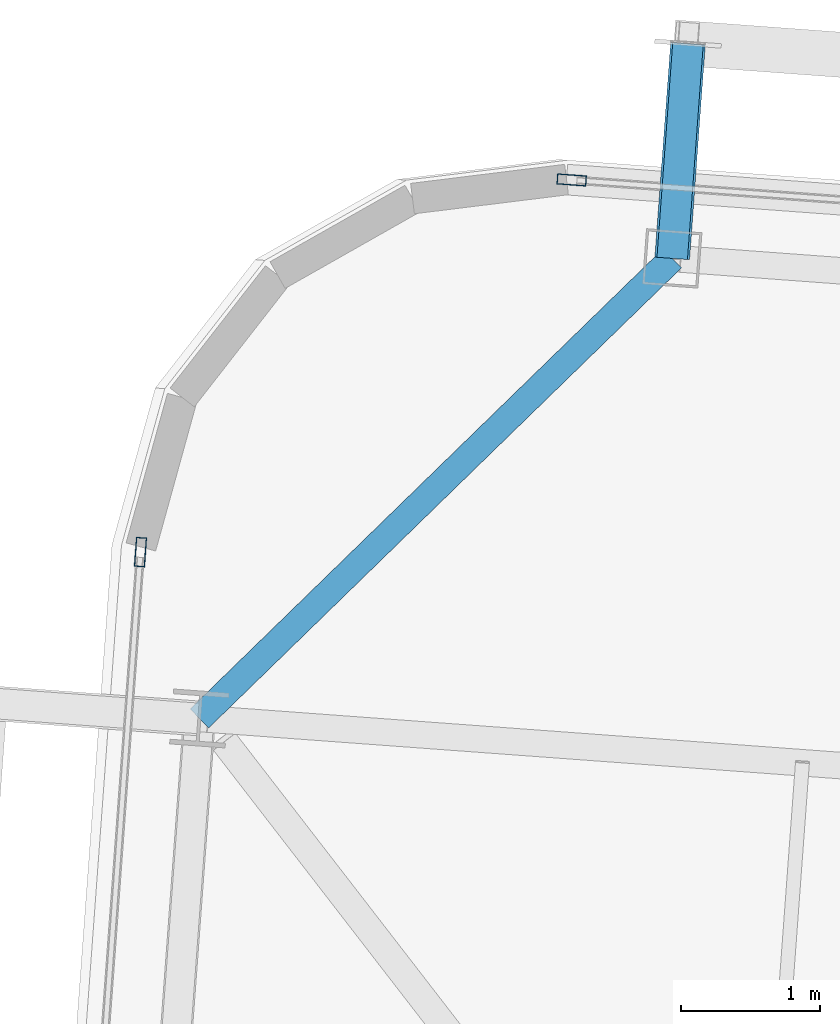
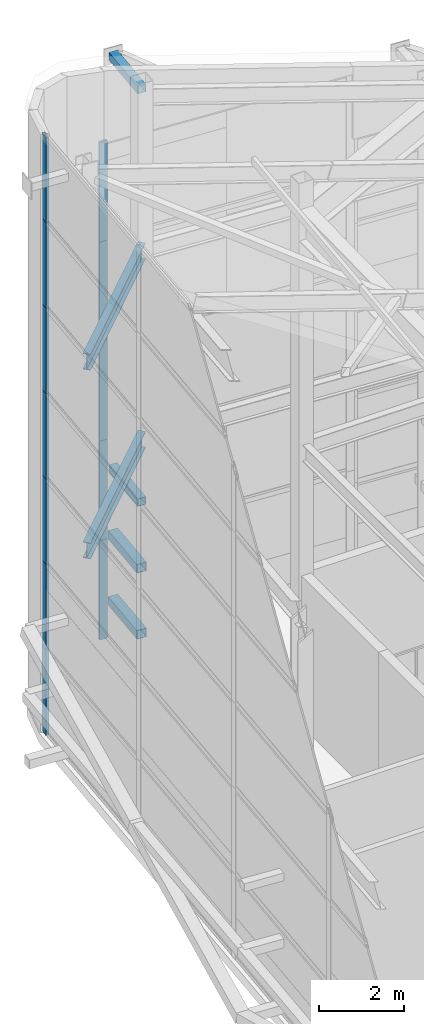
# One storey, part 26 of 56: 16 members, 2 beams, 12 elements without a shape of their own.
"""IFC4 building model written with IfcOpenShell, lengths in metres."""

from ifc_helpers import new_model, si_unit, direction, frame, origin, origin_2d, place, context, subcontext, project, spatial, hollow_rectangle, i_section, extrude, source, transform, mapped, material, layer, layer_set, material_profile, profile_set, type_object, element, aggregate, save


model = new_model("IFC4")

# Units and contexts
model_context = context("Model", 3, precision=1e-05, world=origin(), true_north=direction((0.0, 1.0)))
body_context = subcontext(model_context, "Body", "Model", "MODEL_VIEW")
ifc_project = project(units=[si_unit("LENGTHUNIT", "METRE"), si_unit("AREAUNIT", "SQUARE_METRE"), si_unit("VOLUMEUNIT", "CUBIC_METRE"), si_unit("PLANEANGLEUNIT", "RADIAN"), si_unit("MASSUNIT", "GRAM", prefix="KILO")], contexts=[model_context])

# Site, building, storey
site_placement = place(None, origin())
site = spatial("IfcSite", under=ifc_project, at=site_placement, CompositionType="ELEMENT")
building_placement = place(site_placement, origin())
building = spatial("IfcBuilding", under=site, at=building_placement, Name="Taldren Reach Tower", CompositionType="ELEMENT")
storey_placement = place(building_placement, frame((0.0, 0.0, 253.050048828125)))
storey = spatial("IfcBuildingStorey", under=building, at=storey_placement, Name="L77", CompositionType="ELEMENT", Elevation=253.050048828125)

# Members
ifc_material_1 = material(Name="Steel Gr 350 (C350L0)", Category="steel")
ifc_material_profile_1 = material_profile(ifc_material_1, hollow_rectangle(XDim=0.25, YDim=0.25, WallThickness=0.010009765625, at=origin_2d()), Name="250x250x10.0SHS")
ifc_profile_set_1 = profile_set([ifc_material_profile_1], Name="Steel Gr 350 (C350L0)")
member_type_1 = type_object("IfcMemberType", Name="MB-POST250", PredefinedType="POST", material=ifc_profile_set_1)
shared_shape_1 = source(origin(), body_context, "Body", "SweptSolid", [
    extrude(hollow_rectangle(XDim=0.25, YDim=0.25, WallThickness=0.010009765625, at=origin_2d()), origin(), (0.0, 0.0, 1.0), 1.5498046875),
])
for number, where, z_axis, x_axis, name in (
    (1, (17.35986328125, 36.678955078125, 0.219970703125), (0.073250797913, 0.997313551801, 0.0), (-0.997313551801, 0.073250797913, 0.0), "Exoskeleton base diaphragm tie strut B5-N1 L77"),
    (2, (17.35986328125, 36.678955078125, 2.10986328125), (0.073250797913, 0.997313551801, 0.0), (-0.997313551801, 0.073250797913, 0.0), "Exoskeleton mid-tier diaphragm tie B5-N1 L77"),
):
    element("IfcMember", number, at=place(storey_placement, frame(where, z_axis=z_axis, x_axis=x_axis)), inside=storey, type_object=member_type_1, Name=name, PredefinedType="POST", context=body_context, shape_type="MappedRepresentation", body=[
        mapped(shared_shape_1, transform((0.0, 0.0, 0.0), scale=1.0)),
    ])
ifc_material_2 = material(Name="Steel Gr 450 (C450L0)", Category="steel")
ifc_material_profile_2 = material_profile(ifc_material_2, hollow_rectangle(XDim=0.219970703125, YDim=0.219970703125, WallThickness=0.00830078125, at=origin_2d()), Name="220x220x8.2SHS")
ifc_profile_set_2 = profile_set([ifc_material_profile_2], Name="Steel Gr 450 (C450L0)")
member_type_2 = type_object("IfcMemberType", Name="MB-TIE219", PredefinedType="STRUT", material=ifc_profile_set_2)
shared_shape_2 = source(origin(), body_context, "Body", "SweptSolid", [
    extrude(hollow_rectangle(XDim=0.219970703125, YDim=0.219970703125, WallThickness=0.00830078125, at=origin_2d()), origin(), (0.0, 0.0, 1.0), 1.5498046875),
])
for number, where, z_axis, x_axis, name in (
    (3, (17.35986328125, 36.678955078125, 15.810546875), (0.073250797913, 0.997313551801, 0.0), (-0.997313551801, 0.073250797913, 0.0), "Exoskeleton diaphragm tie strut B5-N1 L77"),
    (4, (17.35986328125, 36.678955078125, 4.0), (0.073250797913, 0.997313551801, 0.0), (-0.997313551801, 0.073250797913, 0.0), "Crown exoskeleton mid-tier tie strut B5-N1"),
):
    element("IfcMember", number, at=place(storey_placement, frame(where, z_axis=z_axis, x_axis=x_axis)), inside=storey, type_object=member_type_2, Name=name, PredefinedType="STRUT", context=body_context, shape_type="MappedRepresentation", body=[
        mapped(shared_shape_2, transform((0.0, 0.0, 0.0), scale=1.0)),
    ])

# Beams
ifc_material_3 = material(Name="Steel Gr 350 (350PLUS)", Category="steel")
ifc_material_profile_3 = material_profile(ifc_material_3, i_section(OverallWidth=0.19091796875, OverallDepth=0.4599609375, WebThickness=0.010009765625, FlangeThickness=0.01611328125, at=origin_2d()), Name="460UB82.1")
ifc_profile_set_3 = profile_set([ifc_material_profile_3], Name="Steel Gr 350 (350PLUS)")
beam_type = type_object("IfcBeamType", Name="BM-UB460A", PredefinedType="BEAM", material=ifc_profile_set_3)
shared_shape_3 = source(origin(), body_context, "Body", "SweptSolid", [
    extrude(i_section(OverallWidth=0.19091796875, OverallDepth=0.4599609375, WebThickness=0.010009765625, FlangeThickness=0.01611328125, at=origin_2d()), origin(), (0.0, 0.0, 1.0), 4.74609375),
])
for number, where, z_axis, x_axis, name in (
    (5, (17.35986328125, 36.678955078125, 5.800048828125), (-0.716711338436, -0.697369957309, 0.0), (0.697369957309, -0.716711338436, 0.0), "Crown perimeter wind girt LO N1-W3"),
    (6, (17.35986328125, 36.678955078125, 11.199951171875), (-0.716711338436, -0.697369957309, 0.0), (0.697369957309, -0.716711338436, 0.0), "Crown perimeter wind girt HI N1-W3"),
):
    element("IfcBeam", number, at=place(storey_placement, frame(where, z_axis=z_axis, x_axis=x_axis)), inside=storey, type_object=beam_type, Name=name, PredefinedType="BEAM", context=body_context, shape_type="MappedRepresentation", body=[
        mapped(shared_shape_3, transform((0.0, 0.0, 0.0), scale=1.0)),
    ])

# Curtain wall, member
ifc_material_4 = material(Name="Aluminium and Low-E Glass Unitised System", Category="aluminium")
ifc_layer = layer(ifc_material_4, 0.159912109375)
ifc_layer_set = layer_set([ifc_layer], Name="Aluminium and Low-E Glass Unitised System")
curtain_wall_type = type_object("IfcCurtainWallType", Name="CW-SYS-8", PredefinedType="NOTDEFINED", material=ifc_layer_set)
curtain_wall_1_placement = place(storey_placement, origin())
curtain_wall_1 = element("IfcCurtainWall", 7, at=curtain_wall_1_placement, inside=storey, type_object=curtain_wall_type, Name="Unitised curtain wall CW8-L77-W", PredefinedType="NOTDEFINED")
ifc_material_5 = material(Name="Anodised Aluminium 6063-T6", Category="aluminium")
ifc_material_profile_4 = material_profile(ifc_material_5, hollow_rectangle(XDim=0.074951171875, YDim=0.2099609375, WallThickness=0.00439453125, at=origin_2d()), Name="ALU-210x75x4.5RHS")
ifc_profile_set_4 = profile_set([ifc_material_profile_4], Name="Anodised Aluminium 6063-T6")
member_type_3 = type_object("IfcMemberType", Name="CW-MUL-200", PredefinedType="MULLION", material=ifc_profile_set_4)
shared_shape_4 = source(origin(), body_context, "Body", "SweptSolid", [
    extrude(hollow_rectangle(XDim=0.074951171875, YDim=0.2099609375, WallThickness=0.00439453125, at=origin_2d()), origin(), (0.0, 0.0, 1.0), 2.4462890625),
])
member_1_placement = place(storey_placement, frame((13.53466796875, 34.56591796875, 0.0), z_axis=(0.0, 0.0, 1.0), x_axis=(0.997314470951, -0.073238282558, 0.0)))
member_1 = element("IfcMember", 8, at=member_1_placement, type_object=member_type_3, Name="CW-8 mullion 1", PredefinedType="MULLION", context=body_context, shape_type="MappedRepresentation", body=[
    mapped(shared_shape_4, transform((0.0, 0.0, 0.0), scale=1.0)),
])
aggregate(curtain_wall_1, [member_1])

curtain_wall_2_placement = place(storey_placement, origin())
curtain_wall_2 = element("IfcCurtainWall", 9, at=curtain_wall_2_placement, inside=storey, type_object=curtain_wall_type, Name="Unitised curtain wall CW8-L77-W-T3", PredefinedType="NOTDEFINED")
member_2_placement = place(storey_placement, frame((13.53466796875, 34.56591796875, 4.892822265625), z_axis=(0.0, 0.0, 1.0), x_axis=(0.997314470951, -0.073238282558, 0.0)))
member_2 = element("IfcMember", 10, at=member_2_placement, type_object=member_type_3, Name="CW-8 mullion 1", PredefinedType="MULLION", context=body_context, shape_type="MappedRepresentation", body=[
    mapped(shared_shape_4, transform((0.0, 0.0, 0.0), scale=1.0)),
])
aggregate(curtain_wall_2, [member_2])

curtain_wall_3_placement = place(storey_placement, origin())
curtain_wall_3 = element("IfcCurtainWall", 11, at=curtain_wall_3_placement, inside=storey, type_object=curtain_wall_type, Name="Unitised curtain wall CW8-L77-W-T5", PredefinedType="NOTDEFINED")
member_3_placement = place(storey_placement, frame((13.53466796875, 34.56591796875, 9.78564453125), z_axis=(0.0, 0.0, 1.0), x_axis=(0.997314470951, -0.073238282558, 0.0)))
member_3 = element("IfcMember", 12, at=member_3_placement, type_object=member_type_3, Name="CW-8 mullion 1", PredefinedType="MULLION", context=body_context, shape_type="MappedRepresentation", body=[
    mapped(shared_shape_4, transform((0.0, 0.0, 0.0), scale=1.0)),
])
aggregate(curtain_wall_3, [member_3])

curtain_wall_4_placement = place(storey_placement, origin())
curtain_wall_4 = element("IfcCurtainWall", 13, at=curtain_wall_4_placement, inside=storey, type_object=curtain_wall_type, Name="Unitised curtain wall CW8-L77-W-T7", PredefinedType="NOTDEFINED")
member_4_placement = place(storey_placement, frame((13.53466796875, 34.56591796875, 14.678466796875), z_axis=(0.0, 0.0, 1.0), x_axis=(0.997314470951, -0.073238282558, 0.0)))
member_4 = element("IfcMember", 14, at=member_4_placement, type_object=member_type_3, Name="CW-8 mullion 1", PredefinedType="MULLION", context=body_context, shape_type="MappedRepresentation", body=[
    mapped(shared_shape_4, transform((0.0, 0.0, 0.0), scale=1.0)),
])
aggregate(curtain_wall_4, [member_4])

curtain_wall_5_placement = place(storey_placement, origin())
curtain_wall_5 = element("IfcCurtainWall", 15, at=curtain_wall_5_placement, inside=storey, type_object=curtain_wall_type, Name="Unitised curtain wall CW8-L77-W-T2", PredefinedType="NOTDEFINED")
shared_shape_5 = source(origin(), body_context, "Body", "SweptSolid", [
    extrude(hollow_rectangle(XDim=0.074951171875, YDim=0.2099609375, WallThickness=0.00439453125, at=origin_2d()), origin(), (0.0, 0.0, 1.0), 2.446533203125),
])
member_5_placement = place(storey_placement, frame((13.53466796875, 34.56591796875, 2.4462890625), z_axis=(0.0, 0.0, 1.0), x_axis=(0.997314470951, -0.073238282558, 0.0)))
member_5 = element("IfcMember", 16, at=member_5_placement, type_object=member_type_3, Name="CW-8 mullion 1", PredefinedType="MULLION", context=body_context, shape_type="MappedRepresentation", body=[
    mapped(shared_shape_5, transform((0.0, 0.0, 0.0), scale=1.0)),
])
aggregate(curtain_wall_5, [member_5])

curtain_wall_6_placement = place(storey_placement, origin())
curtain_wall_6 = element("IfcCurtainWall", 17, at=curtain_wall_6_placement, inside=storey, type_object=curtain_wall_type, Name="Unitised curtain wall CW8-L77-W-T4", PredefinedType="NOTDEFINED")
member_6_placement = place(storey_placement, frame((13.53466796875, 34.56591796875, 7.339111328125), z_axis=(0.0, 0.0, 1.0), x_axis=(0.997314470951, -0.073238282558, 0.0)))
member_6 = element("IfcMember", 18, at=member_6_placement, type_object=member_type_3, Name="CW-8 mullion 1", PredefinedType="MULLION", context=body_context, shape_type="MappedRepresentation", body=[
    mapped(shared_shape_5, transform((0.0, 0.0, 0.0), scale=1.0)),
])
aggregate(curtain_wall_6, [member_6])

curtain_wall_7_placement = place(storey_placement, origin())
curtain_wall_7 = element("IfcCurtainWall", 19, at=curtain_wall_7_placement, inside=storey, type_object=curtain_wall_type, Name="Unitised curtain wall CW8-L77-W-T6", PredefinedType="NOTDEFINED")
member_7_placement = place(storey_placement, frame((13.53466796875, 34.56591796875, 12.23193359375), z_axis=(0.0, 0.0, 1.0), x_axis=(0.997314470951, -0.073238282558, 0.0)))
member_7 = element("IfcMember", 20, at=member_7_placement, type_object=member_type_3, Name="CW-8 mullion 1", PredefinedType="MULLION", context=body_context, shape_type="MappedRepresentation", body=[
    mapped(shared_shape_5, transform((0.0, 0.0, 0.0), scale=1.0)),
])
aggregate(curtain_wall_7, [member_7])

curtain_wall_8_placement = place(storey_placement, origin())
curtain_wall_8 = element("IfcCurtainWall", 21, at=curtain_wall_8_placement, inside=storey, type_object=curtain_wall_type, Name="Unitised curtain wall CW8-L77-N1", PredefinedType="NOTDEFINED")
shared_shape_6 = source(origin(), body_context, "Body", "SweptSolid", [
    extrude(hollow_rectangle(XDim=0.074951171875, YDim=0.2099609375, WallThickness=0.00439453125, at=origin_2d()), origin(), (0.0, 0.0, 1.0), 2.848388671875),
])
member_8_placement = place(storey_placement, frame((16.63671875, 37.243408203125, 0.0), z_axis=(0.0, 0.0, 1.0), x_axis=(0.073238506213, 0.997314454527, 0.0)))
member_8 = element("IfcMember", 22, at=member_8_placement, type_object=member_type_3, Name="CW-8 mullion 1", PredefinedType="MULLION", context=body_context, shape_type="MappedRepresentation", body=[
    mapped(shared_shape_6, transform((0.0, 0.0, 0.0), scale=1.0)),
])
aggregate(curtain_wall_8, [member_8])

curtain_wall_9_placement = place(storey_placement, origin())
curtain_wall_9 = element("IfcCurtainWall", 23, at=curtain_wall_9_placement, inside=storey, type_object=curtain_wall_type, Name="Unitised curtain wall CW8-L77-N1-T3", PredefinedType="NOTDEFINED")
member_9_placement = place(storey_placement, frame((16.63671875, 37.243408203125, 5.696533203125), z_axis=(0.0, 0.0, 1.0), x_axis=(0.073238506213, 0.997314454527, 0.0)))
member_9 = element("IfcMember", 24, at=member_9_placement, type_object=member_type_3, Name="CW-8 mullion 1", PredefinedType="MULLION", context=body_context, shape_type="MappedRepresentation", body=[
    mapped(shared_shape_6, transform((0.0, 0.0, 0.0), scale=1.0)),
])
aggregate(curtain_wall_9, [member_9])

curtain_wall_10_placement = place(storey_placement, origin())
curtain_wall_10 = element("IfcCurtainWall", 25, at=curtain_wall_10_placement, inside=storey, type_object=curtain_wall_type, Name="Unitised curtain wall CW8-L77-N1-T4", PredefinedType="NOTDEFINED")
member_10_placement = place(storey_placement, frame((16.63671875, 37.243408203125, 8.544921875), z_axis=(0.0, 0.0, 1.0), x_axis=(0.073238506213, 0.997314454527, 0.0)))
member_10 = element("IfcMember", 26, at=member_10_placement, type_object=member_type_3, Name="CW-8 mullion 1", PredefinedType="MULLION", context=body_context, shape_type="MappedRepresentation", body=[
    mapped(shared_shape_6, transform((0.0, 0.0, 0.0), scale=1.0)),
])
aggregate(curtain_wall_10, [member_10])

curtain_wall_11_placement = place(storey_placement, origin())
curtain_wall_11 = element("IfcCurtainWall", 27, at=curtain_wall_11_placement, inside=storey, type_object=curtain_wall_type, Name="Unitised curtain wall CW8-L77-N1-T2", PredefinedType="NOTDEFINED")
shared_shape_7 = source(origin(), body_context, "Body", "SweptSolid", [
    extrude(hollow_rectangle(XDim=0.074951171875, YDim=0.2099609375, WallThickness=0.00439453125, at=origin_2d()), origin(), (0.0, 0.0, 1.0), 2.84814453125),
])
member_11_placement = place(storey_placement, frame((16.63671875, 37.243408203125, 2.848388671875), z_axis=(0.0, 0.0, 1.0), x_axis=(0.073238506213, 0.997314454527, 0.0)))
member_11 = element("IfcMember", 28, at=member_11_placement, type_object=member_type_3, Name="CW-8 mullion 1", PredefinedType="MULLION", context=body_context, shape_type="MappedRepresentation", body=[
    mapped(shared_shape_7, transform((0.0, 0.0, 0.0), scale=1.0)),
])
aggregate(curtain_wall_11, [member_11])

curtain_wall_12_placement = place(storey_placement, origin())
curtain_wall_12 = element("IfcCurtainWall", 29, at=curtain_wall_12_placement, inside=storey, type_object=curtain_wall_type, Name="Unitised curtain wall CW8-L77-N1-T5", PredefinedType="NOTDEFINED")
member_12_placement = place(storey_placement, frame((16.63671875, 37.243408203125, 11.393310546875), z_axis=(0.0, 0.0, 1.0), x_axis=(0.073238506213, 0.997314454527, 0.0)))
member_12 = element("IfcMember", 30, at=member_12_placement, type_object=member_type_3, Name="CW-8 mullion 1", PredefinedType="MULLION", context=body_context, shape_type="MappedRepresentation", body=[
    mapped(shared_shape_7, transform((0.0, 0.0, 0.0), scale=1.0)),
])
aggregate(curtain_wall_12, [member_12])

save(model, "model.ifc")
